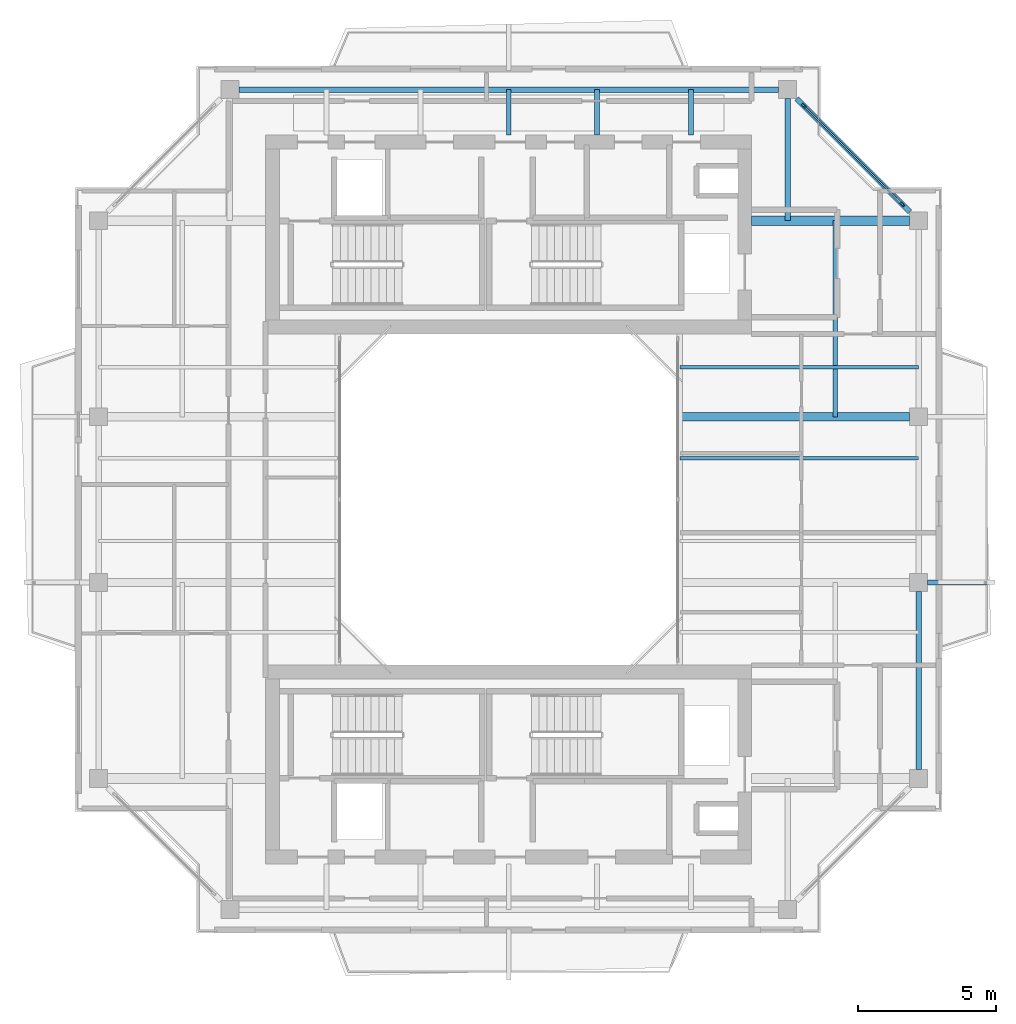
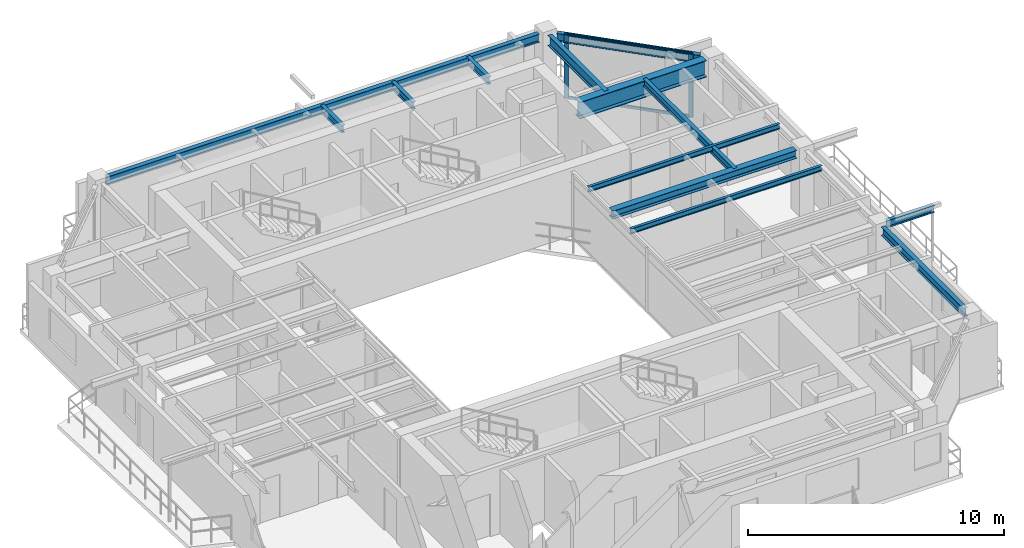
# One storey, part 6 of 14: 13 beams, 4 members, 1 element without a shape of its own.
"""IFC4 building model written with IfcOpenShell, lengths in metres."""

from ifc_helpers import new_model, si_unit, direction, frame, origin, origin_2d, place, context, subcontext, project, spatial, rectangle, i_section, extrude, source, transform, mapped, material, layer, layer_set, material_profile, profile_set, type_object, element, aggregate, save


model = new_model("IFC4")

# Units and contexts
model_context = context("Model", 3, precision=1e-05, world=origin(), true_north=direction((0.0, 1.0)))
body_context = subcontext(model_context, "Body", "Model", "MODEL_VIEW")
ifc_project = project(units=[si_unit("LENGTHUNIT", "METRE"), si_unit("AREAUNIT", "SQUARE_METRE"), si_unit("VOLUMEUNIT", "CUBIC_METRE"), si_unit("PLANEANGLEUNIT", "RADIAN"), si_unit("MASSUNIT", "GRAM", prefix="KILO"), si_unit("THERMODYNAMICTEMPERATUREUNIT", "KELVIN"), si_unit("POWERUNIT", "WATT")], contexts=[model_context])

# Site, building, storey
site_placement = place(None, origin())
site = spatial("IfcSite", under=ifc_project, at=site_placement, CompositionType="ELEMENT")
building_placement = place(site_placement, origin())
building = spatial("IfcBuilding", under=site, at=building_placement, Name="Qiaomeng Ring Towers", CompositionType="ELEMENT")
storey_placement = place(building_placement, frame((0.0, 0.0, 247.0)))
storey = spatial("IfcBuildingStorey", under=building, at=storey_placement, Name="L72", CompositionType="ELEMENT", Elevation=247.0)

# Beams
ifc_material_1 = material(Name="Steel Q355B", Category="steel")
ifc_material_profile_1 = material_profile(ifc_material_1, i_section(OverallWidth=0.198974609375, OverallDepth=0.39599609375, WebThickness=0.007080078125, FlangeThickness=0.010986328125, FilletRadius=0.01611328125, at=origin_2d()), Name="HN 396x199x7x11")
ifc_profile_set_1 = profile_set([ifc_material_profile_1], Name="Steel Q355B")
beam_type_1 = type_object("IfcBeamType", Name="STR-BM-HN396", PredefinedType="SPANDREL", material=ifc_profile_set_1)
shared_shape_1 = source(origin(), body_context, "Body", "SweptSolid", [
    extrude(i_section(OverallWidth=0.198974609375, OverallDepth=0.39599609375, WebThickness=0.007080078125, FlangeThickness=0.010986328125, FilletRadius=0.01611328125, at=origin_2d()), origin(), (0.0, 0.0, 1.0), 19.5517578125),
])
beam_1_placement = place(storey_placement, frame((28.77587890625, 37.85009765625, 2.8720703125), z_axis=(-1.0, 0.0, 0.0), x_axis=(0.0, -1.0, 0.0)))
element("IfcBeam", 1, at=beam_1_placement, inside=storey, type_object=beam_type_1, Name="L72 beam STR-SP-L72-T1-N2-N1", PredefinedType="SPANDREL", context=body_context, shape_type="MappedRepresentation", body=[
    mapped(shared_shape_1, transform((0.0, 0.0, 0.0), x_axis=(1.0, 0.0, 0.0), y_axis=(0.0, 1.0, 0.0), z_axis=(0.0, 0.0, 1.0), scale=1.0)),
])
shared_shape_2 = source(origin(), body_context, "Body", "SweptSolid", [
    extrude(i_section(OverallWidth=0.198974609375, OverallDepth=0.39599609375, WebThickness=0.007080078125, FlangeThickness=0.010986328125, FilletRadius=0.01611328125, at=origin_2d()), origin(), (0.0, 0.0, 1.0), 5.800048828125),
])
beam_2_placement = place(storey_placement, frame((33.525634765625, 33.42431640625, 2.8720703125), z_axis=(-0.707106781187, 0.707106781187, 0.0), x_axis=(-0.707106781187, -0.707106781187, 0.0)))
element("IfcBeam", 2, at=beam_2_placement, inside=storey, type_object=beam_type_1, Name="L72 beam STR-SP-L72-T1-E4-N2", PredefinedType="SPANDREL", context=body_context, shape_type="MappedRepresentation", body=[
    mapped(shared_shape_2, transform((0.0, 0.0, 0.0), x_axis=(1.0, 0.0, 0.0), y_axis=(0.0, 1.0, 0.0), z_axis=(0.0, 0.0, 1.0), scale=1.0)),
])
shared_shape_3 = source(origin(), body_context, "Body", "SweptSolid", [
    extrude(i_section(OverallWidth=0.198974609375, OverallDepth=0.39599609375, WebThickness=0.007080078125, FlangeThickness=0.010986328125, FilletRadius=0.01611328125, at=origin_2d()), origin(), (0.0, 0.0, 1.0), 6.451904296875),
])
beam_3_placement = place(storey_placement, frame((33.85009765625, 13.22412109375, 2.8720703125), z_axis=(0.0, 1.0, 0.0), x_axis=(-1.0, 0.0, 0.0)))
element("IfcBeam", 3, at=beam_3_placement, inside=storey, type_object=beam_type_1, Name="L72 beam STR-SP-L72-T1-E1-E2", PredefinedType="SPANDREL", context=body_context, shape_type="MappedRepresentation", body=[
    mapped(shared_shape_3, transform((0.0, 0.0, 0.0), x_axis=(1.0, 0.0, 0.0), y_axis=(0.0, 1.0, 0.0), z_axis=(0.0, 0.0, 1.0), scale=1.0)),
])
ifc_material_2 = material(Name="Steel Q390GJC", Category="steel")
ifc_material_profile_2 = material_profile(ifc_material_2, i_section(OverallWidth=0.35009765625, OverallDepth=0.800048828125, WebThickness=0.01611328125, FlangeThickness=0.028076171875, at=origin_2d()), Name="WH 800x350x16x28")
ifc_profile_set_2 = profile_set([ifc_material_profile_2], Name="Steel Q390GJC")
beam_type_2 = type_object("IfcBeamType", Name="STR-BM-WH800", PredefinedType="BEAM", material=ifc_profile_set_2)
shared_shape_4 = source(origin(), body_context, "Body", "SweptSolid", [
    extrude(i_section(OverallWidth=0.35009765625, OverallDepth=0.800048828125, WebThickness=0.01611328125, FlangeThickness=0.028076171875, at=origin_2d()), origin(), (0.0, 0.0, 1.0), 5.725830078125),
])
beam_4_placement = place(storey_placement, frame((27.800048828125, 33.10009765625, 2.669921875), z_axis=(1.0, 0.0, 0.0), x_axis=(0.0, 1.0, 0.0)))
element("IfcBeam", 4, at=beam_4_placement, inside=storey, type_object=beam_type_2, Name="L72 beam STR-BM-L72-T1-RAD-E4", PredefinedType="BEAM", context=body_context, shape_type="MappedRepresentation", body=[
    mapped(shared_shape_4, transform((0.0, 0.0, 0.0), x_axis=(1.0, 0.0, 0.0), y_axis=(0.0, 1.0, 0.0), z_axis=(0.0, 0.0, 1.0), scale=1.0)),
])
ifc_material_profile_3 = material_profile(ifc_material_1, i_section(OverallWidth=0.198974609375, OverallDepth=0.49609375, WebThickness=0.009033203125, FlangeThickness=0.013916015625, FilletRadius=0.01806640625, at=origin_2d()), Name="HN 496x199x9x14")
ifc_profile_set_3 = profile_set([ifc_material_profile_3], Name="Steel Q355B")
beam_type_3 = type_object("IfcBeamType", Name="STR-BM-HN496", PredefinedType="BEAM", material=ifc_profile_set_3)
shared_shape_5 = source(origin(), body_context, "Body", "SweptSolid", [
    extrude(i_section(OverallWidth=0.198974609375, OverallDepth=0.49609375, WebThickness=0.009033203125, FlangeThickness=0.013916015625, FilletRadius=0.01806640625, at=origin_2d()), origin(), (0.0, 0.0, 1.0), 4.42578125),
])
beam_5_placement = place(storey_placement, frame((29.10009765625, 37.52587890625, 2.822021484375), z_axis=(0.0, -1.0, 0.0), x_axis=(1.0, 0.0, 0.0)))
element("IfcBeam", 5, at=beam_5_placement, inside=storey, type_object=beam_type_3, Name="L72 beam STR-BM-L72-T1-RAD-N2", PredefinedType="BEAM", context=body_context, shape_type="MappedRepresentation", body=[
    mapped(shared_shape_5, transform((0.0, 0.0, 0.0), x_axis=(1.0, 0.0, 0.0), y_axis=(0.0, 1.0, 0.0), z_axis=(0.0, 0.0, 1.0), scale=1.0)),
])
ifc_material_profile_4 = material_profile(ifc_material_1, i_section(OverallWidth=0.300048828125, OverallDepth=0.389892578125, WebThickness=0.010009765625, FlangeThickness=0.01611328125, FilletRadius=0.02197265625, at=origin_2d()), Name="HM 390x300x10x16")
ifc_profile_set_4 = profile_set([ifc_material_profile_4], Name="Steel Q355B")
beam_type_4 = type_object("IfcBeamType", Name="STR-BM-HM390", PredefinedType="BEAM", material=ifc_profile_set_4)
shared_shape_6 = source(origin(), body_context, "Body", "SweptSolid", [
    extrude(i_section(OverallWidth=0.300048828125, OverallDepth=0.389892578125, WebThickness=0.010009765625, FlangeThickness=0.01611328125, FilletRadius=0.02197265625, at=origin_2d()), origin(), (0.0, 0.0, 1.0), 8.325927734375),
])
beam_6_placement = place(storey_placement, frame((25.199951171875, 26.0, 2.875), z_axis=(1.0, 0.0, 0.0), x_axis=(0.0, 1.0, 0.0)))
element("IfcBeam", 6, at=beam_6_placement, inside=storey, type_object=beam_type_4, Name="L72 beam STR-BM-L72-T1-RAD-E3", PredefinedType="BEAM", context=body_context, shape_type="MappedRepresentation", body=[
    mapped(shared_shape_6, transform((0.0, 0.0, 0.0), x_axis=(1.0, 0.0, 0.0), y_axis=(0.0, 1.0, 0.0), z_axis=(0.0, 0.0, 1.0), scale=1.0)),
])
ifc_material_profile_5 = material_profile(ifc_material_1, i_section(OverallWidth=0.175048828125, OverallDepth=0.35009765625, WebThickness=0.007080078125, FlangeThickness=0.010986328125, FilletRadius=0.013916015625, at=origin_2d()), Name="HN 350x175x7x11")
ifc_profile_set_5 = profile_set([ifc_material_profile_5], Name="Steel Q355B")
beam_type_5 = type_object("IfcBeamType", Name="STR-BM-HN350", PredefinedType="JOIST", material=ifc_profile_set_5)
shared_shape_7 = source(origin(), body_context, "Body", "SweptSolid", [
    extrude(i_section(OverallWidth=0.175048828125, OverallDepth=0.35009765625, WebThickness=0.007080078125, FlangeThickness=0.010986328125, FilletRadius=0.013916015625, at=origin_2d()), origin(), (0.0, 0.0, 1.0), 2.14599609375),
])
beam_7_placement = place(storey_placement, frame((34.174072265625, 20.0, 2.89501953125), z_axis=(1.0, 0.0, 0.0), x_axis=(0.0, 1.0, 0.0)))
element("IfcBeam", 7, at=beam_7_placement, inside=storey, type_object=beam_type_5, Name="L72 beam STR-BALBM-L72-E2", PredefinedType="JOIST", context=body_context, shape_type="MappedRepresentation", body=[
    mapped(shared_shape_7, transform((0.0, 0.0, 0.0), x_axis=(1.0, 0.0, 0.0), y_axis=(0.0, 1.0, 0.0), z_axis=(0.0, 0.0, 1.0), scale=1.0)),
])
shared_shape_8 = source(origin(), body_context, "Body", "SweptSolid", [
    extrude(i_section(OverallWidth=0.175048828125, OverallDepth=0.35009765625, WebThickness=0.007080078125, FlangeThickness=0.010986328125, FilletRadius=0.013916015625, at=origin_2d()), origin(), (0.0, 0.0, 1.0), 1.650146484375),
])
for number, where, z_axis, x_axis, name in (
    (8, (19.0, 36.199951171875, 2.89501953125), (0.0, 1.0, 0.0), (-1.0, 0.0, 0.0), "L72 beam STR-JST-L72-T1N-3"),
    (9, (22.199951171875, 36.199951171875, 2.89501953125), (0.0, 1.0, 0.0), (-1.0, 0.0, 0.0), "L72 beam STR-JST-L72-T1N-4"),
    (10, (25.60009765625, 36.199951171875, 2.89501953125), (0.0, 1.0, 0.0), (-1.0, 0.0, 0.0), "L72 beam STR-JST-L72-T1N-5"),
):
    element("IfcBeam", number, at=place(storey_placement, frame(where, z_axis=z_axis, x_axis=x_axis)), inside=storey, type_object=beam_type_5, Name=name, PredefinedType="JOIST", context=body_context, shape_type="MappedRepresentation", body=[
        mapped(shared_shape_8, transform((0.0, 0.0, 0.0), x_axis=(1.0, 0.0, 0.0), y_axis=(0.0, 1.0, 0.0), z_axis=(0.0, 0.0, 1.0), scale=1.0)),
    ])
ifc_material_profile_6 = material_profile(ifc_material_1, i_section(OverallWidth=0.125, OverallDepth=0.25, WebThickness=0.006103515625, FlangeThickness=0.009033203125, FilletRadius=0.011962890625, at=origin_2d()), Name="HN 250x125x6x9")
ifc_profile_set_6 = profile_set([ifc_material_profile_6], Name="Steel Q355B")
beam_type_6 = type_object("IfcBeamType", Name="STR-BM-HN250", PredefinedType="JOIST", material=ifc_profile_set_6)
shared_shape_9 = source(origin(), body_context, "Body", "SweptSolid", [
    extrude(i_section(OverallWidth=0.125, OverallDepth=0.25, WebThickness=0.006103515625, FlangeThickness=0.009033203125, FilletRadius=0.011962890625, at=origin_2d()), origin(), (0.0, 0.0, 1.0), 8.650146484375),
])
for number, where, z_axis, x_axis, name in (
    (11, (25.199951171875, 24.5, 2.945068359375), (1.0, 0.0, 0.0), (0.0, 1.0, 0.0), "L72 beam STR-JST-L72-T1E-3"),
    (12, (25.199951171875, 27.800048828125, 2.945068359375), (1.0, 0.0, 0.0), (0.0, 1.0, 0.0), "L72 beam STR-JST-L72-T1E-4"),
):
    element("IfcBeam", number, at=place(storey_placement, frame(where, z_axis=z_axis, x_axis=x_axis)), inside=storey, type_object=beam_type_6, Name=name, PredefinedType="JOIST", context=body_context, shape_type="MappedRepresentation", body=[
        mapped(shared_shape_9, transform((0.0, 0.0, 0.0), x_axis=(1.0, 0.0, 0.0), y_axis=(0.0, 1.0, 0.0), z_axis=(0.0, 0.0, 1.0), scale=1.0)),
    ])
shared_shape_10 = source(origin(), body_context, "Body", "SweptSolid", [
    extrude(i_section(OverallWidth=0.175048828125, OverallDepth=0.35009765625, WebThickness=0.007080078125, FlangeThickness=0.010986328125, FilletRadius=0.013916015625, at=origin_2d()), origin(), (0.0, 0.0, 1.0), 7.10009765625),
])
beam_8_placement = place(storey_placement, frame((30.824951171875, 26.0, 2.89501953125), z_axis=(0.0, 1.0, 0.0), x_axis=(-1.0, 0.0, 0.0)))
element("IfcBeam", 13, at=beam_8_placement, inside=storey, type_object=beam_type_5, Name="L72 beam STR-JST-L72-T1C-EN", PredefinedType="JOIST", context=body_context, shape_type="MappedRepresentation", body=[
    mapped(shared_shape_10, transform((0.0, 0.0, 0.0), x_axis=(1.0, 0.0, 0.0), y_axis=(0.0, 1.0, 0.0), z_axis=(0.0, 0.0, 1.0), scale=1.0)),
])

# Curtain wall, members
ifc_material_3 = material(Name="Fluorocarbon dark-grey aluminium", Category="aluminium")
ifc_layer = layer(ifc_material_3, 0.14990234375, Name="Fluorocarbon dark-grey aluminium")
ifc_layer_set = layer_set([ifc_layer], Name="Fluorocarbon dark-grey aluminium")
curtain_wall_type = type_object("IfcCurtainWallType", Name="ARC-CW-3", PredefinedType="NOTDEFINED", material=ifc_layer_set)
curtain_wall_placement = place(storey_placement, origin())
curtain_wall = element("IfcCurtainWall", 14, at=curtain_wall_placement, inside=storey, type_object=curtain_wall_type, Name="L72 Curtain Wall CW3", PredefinedType="NOTDEFINED")
ifc_material_profile_7 = material_profile(ifc_material_3, rectangle(XDim=0.070068359375, YDim=0.179931640625, at=origin_2d()), Name="ALU MULL 70x180")
ifc_profile_set_7 = profile_set([ifc_material_profile_7], Name="Fluorocarbon dark-grey aluminium")
member_type_1 = type_object("IfcMemberType", Name="ARC-CWM-160", PredefinedType="MULLION", material=ifc_profile_set_7)
shared_shape_11 = source(origin(), body_context, "Body", "SweptSolid", [
    extrude(rectangle(XDim=0.070068359375, YDim=0.179931640625, at=origin_2d()), origin(), (0.0, 0.0, 1.0), 3.070068359375),
])
member_1_placement = place(storey_placement, frame((33.26025390625, 33.689697265625, 0.0), z_axis=(0.0, 0.0, 1.0), x_axis=(-0.707106781187, -0.707106781187, 0.0)))
member_1 = element("IfcMember", 15, at=member_1_placement, type_object=member_type_1, Name="CW3 mullion 1", PredefinedType="MULLION", context=body_context, shape_type="MappedRepresentation", body=[
    mapped(shared_shape_11, transform((0.0, 0.0, 0.0), x_axis=(1.0, 0.0, 0.0), y_axis=(0.0, 1.0, 0.0), z_axis=(0.0, 0.0, 1.0), scale=1.0)),
])
member_2_placement = place(storey_placement, frame((29.689697265625, 37.26025390625, 0.0), z_axis=(0.0, 0.0, 1.0), x_axis=(-0.707106781187, -0.707106781187, 0.0)))
member_2 = element("IfcMember", 16, at=member_2_placement, type_object=member_type_1, Name="CW3 mullion 2", PredefinedType="MULLION", context=body_context, shape_type="MappedRepresentation", body=[
    mapped(shared_shape_11, transform((0.0, 0.0, 0.0), x_axis=(1.0, 0.0, 0.0), y_axis=(0.0, 1.0, 0.0), z_axis=(0.0, 0.0, 1.0), scale=1.0)),
])
ifc_material_profile_8 = material_profile(ifc_material_3, rectangle(XDim=0.06494140625, YDim=0.1298828125, at=origin_2d()), Name="ALU TRAN 65x130")
ifc_profile_set_8 = profile_set([ifc_material_profile_8], Name="Fluorocarbon dark-grey aluminium")
member_type_2 = type_object("IfcMemberType", Name="ARC-CWT-120", PredefinedType="USERDEFINED", material=ifc_profile_set_8)
shared_shape_12 = source(origin(), body_context, "Body", "SweptSolid", [
    extrude(rectangle(XDim=0.06494140625, YDim=0.1298828125, at=origin_2d()), origin(), (0.0, 0.0, 1.0), 4.9794921875),
])
member_3_placement = place(storey_placement, frame((33.235595703125, 33.714599609375, 0.032470703125), z_axis=(-0.707106781187, 0.707106781187, 0.0), x_axis=(-0.707106781187, -0.707106781187, 0.0)))
member_3 = element("IfcMember", 17, at=member_3_placement, type_object=member_type_2, Name="CW3 transom 1.1", ObjectType="TRANSOM", PredefinedType="USERDEFINED", context=body_context, shape_type="MappedRepresentation", body=[
    mapped(shared_shape_12, transform((0.0, 0.0, 0.0), x_axis=(1.0, 0.0, 0.0), y_axis=(0.0, 1.0, 0.0), z_axis=(0.0, 0.0, 1.0), scale=1.0)),
])
member_4_placement = place(storey_placement, frame((33.235595703125, 33.714599609375, 3.03759765625), z_axis=(-0.707106781187, 0.707106781187, 0.0), x_axis=(-0.707106781187, -0.707106781187, 0.0)))
member_4 = element("IfcMember", 18, at=member_4_placement, type_object=member_type_2, Name="CW3 transom 1.2", ObjectType="TRANSOM", PredefinedType="USERDEFINED", context=body_context, shape_type="MappedRepresentation", body=[
    mapped(shared_shape_12, transform((0.0, 0.0, 0.0), x_axis=(1.0, 0.0, 0.0), y_axis=(0.0, 1.0, 0.0), z_axis=(0.0, 0.0, 1.0), scale=1.0)),
])
aggregate(curtain_wall, [member_1, member_2, member_3, member_4])

save(model, "model.ifc")
